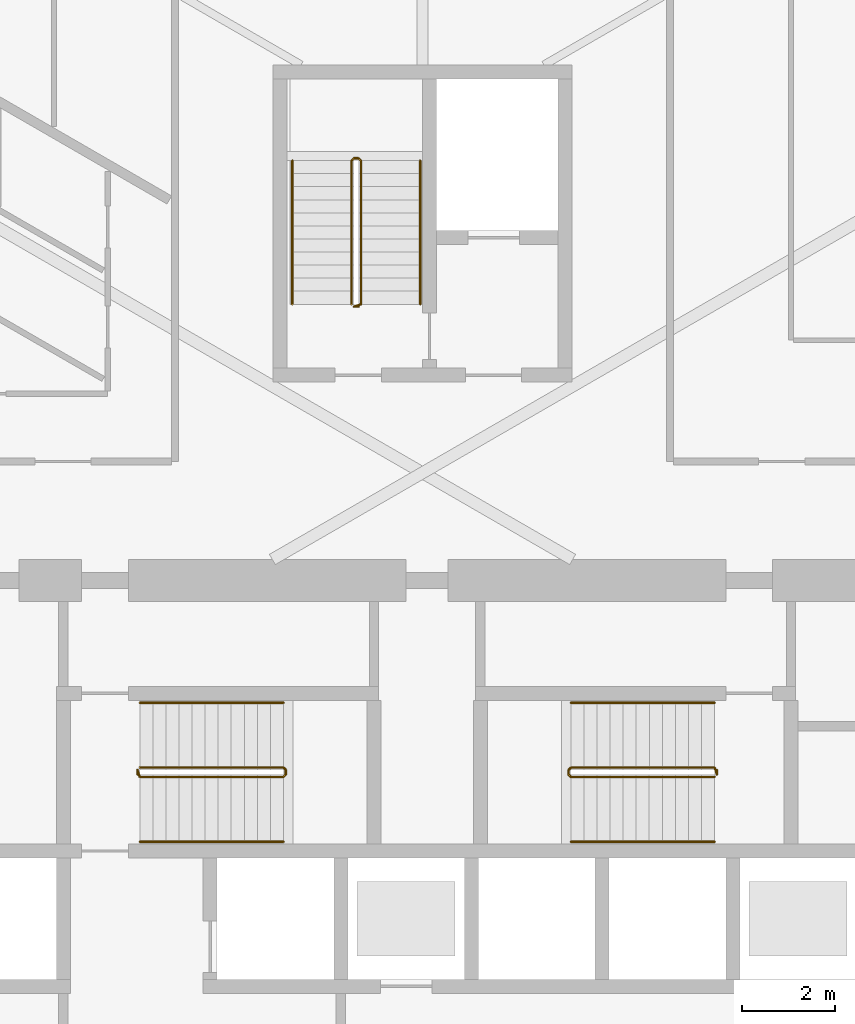
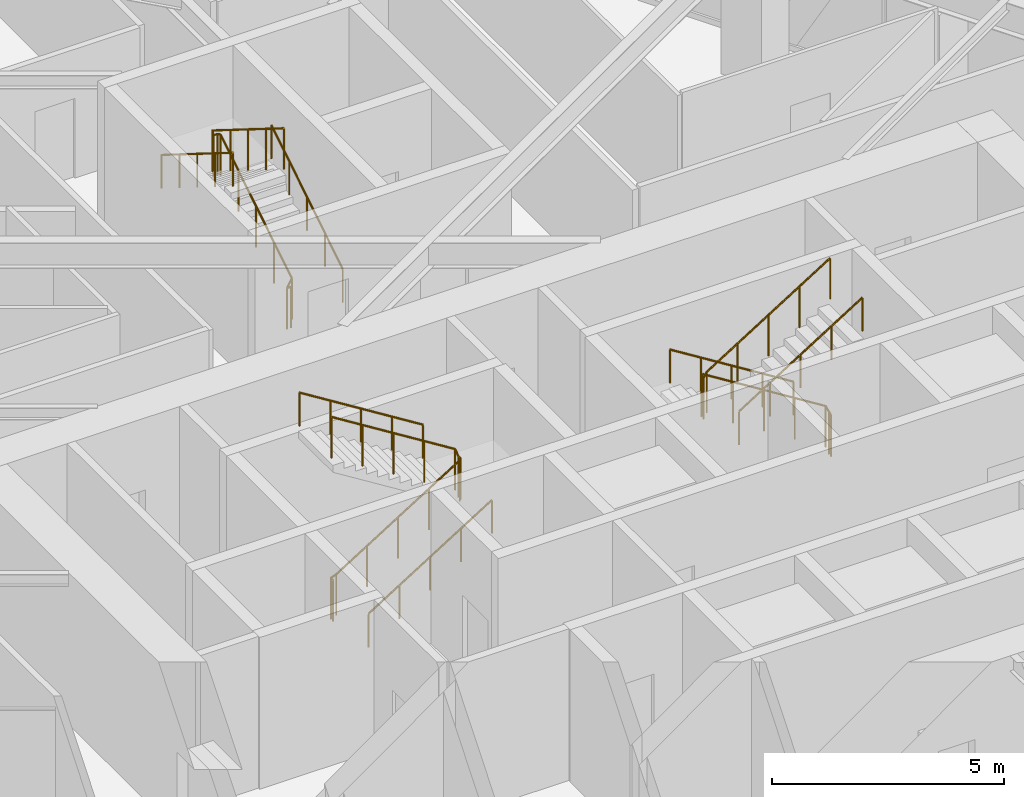
# One storey, part 20 of 21: 9 railings.
"""IFC4 building model written with IfcOpenShell, lengths in metres."""

from ifc_helpers import new_model, si_unit, direction, frame, origin, origin_2d, place, context, subcontext, project, spatial, circle, extrude, material, type_object, element, save


model = new_model("IFC4")

# Units and contexts
model_context = context("Model", 3, precision=1e-05, world=origin(), true_north=direction((0.0, 1.0)))
body_context = subcontext(model_context, "Body", "Model", "MODEL_VIEW")
ifc_project = project(units=[si_unit("LENGTHUNIT", "METRE"), si_unit("AREAUNIT", "SQUARE_METRE"), si_unit("VOLUMEUNIT", "CUBIC_METRE"), si_unit("PLANEANGLEUNIT", "RADIAN"), si_unit("MASSUNIT", "GRAM", prefix="KILO")], contexts=[model_context])

# Site, building, storey
site_placement = place(None, origin())
site = spatial("IfcSite", under=ifc_project, at=site_placement, CompositionType="ELEMENT")
building_placement = place(site_placement, origin())
building = spatial("IfcBuilding", under=site, at=building_placement, Name="Firuza Gate Tower and Library", CompositionType="ELEMENT")
storey_placement = place(building_placement, frame((0.0, 0.0, 90.39990234375)))
storey = spatial("IfcBuildingStorey", under=building, at=storey_placement, Name="L20", CompositionType="ELEMENT", Elevation=90.39990234375)

# Railings
ifc_material_1 = material(Name="Steel S355", Category="steel")
railing_type_1 = type_object("IfcRailingType", Name="Stair guard 1100", PredefinedType="GUARDRAIL", material=ifc_material_1)
railing_1_placement = place(storey_placement, frame((68.889892578125, 79.389892578125, 0.0)))
element("IfcRailing", 1, at=railing_1_placement, inside=storey, type_object=railing_type_1, Name="L20 ST1 stair guard 1", PredefinedType="GUARDRAIL", context=body_context, shape_type="SweptSolid", body=[
    extrude(circle(Radius=0.02392578125, at=origin_2d()), frame((0.0, 0.0, 1.076171875), z_axis=(0.0, 1.0, 0.0), x_axis=(-1.0, 0.0, 0.0)), (0.0, 0.0, 1.0), 0.10009765625),
    extrude(circle(Radius=0.02392578125, at=origin_2d()), frame((0.0, 0.10009765625, 1.076171875), z_axis=(0.21222055169, -0.635626432867, 0.742254319813), x_axis=(0.948528701346, 0.316691178788, 0.0)), (0.0, 0.0, 1.0), 0.23583984375),
    extrude(circle(Radius=0.02392578125, at=origin_2d()), frame((0.050048828125, -0.0498046875, 1.2509765625), z_axis=(0.847998304005, 0.0, 0.529998940003), x_axis=(0.0, 1.0, 0.0)), (0.0, 0.0, 1.0), 3.632080078125),
    extrude(circle(Radius=0.02392578125, at=origin_2d()), frame((3.130126953125, -0.0498046875, 3.17626953125), z_axis=(0.708833529934, 0.705375805398, 0.0), x_axis=(-0.705375805398, 0.708833529934, 0.0)), (0.0, 0.0, 1.0), 0.070556640625),
    extrude(circle(Radius=0.02392578125, at=origin_2d()), frame((3.18017578125, 0.0, 3.17626953125), z_axis=(0.0, 1.0, 0.0), x_axis=(-1.0, 0.0, 0.0)), (0.0, 0.0, 1.0), 0.10009765625),
    extrude(circle(Radius=0.02392578125, at=origin_2d()), frame((3.18017578125, 0.10009765625, 3.17626953125), z_axis=(-0.265065253269, 0.265065253269, 0.927081885822), x_axis=(-0.707106781187, -0.707106781187, 0.0)), (0.0, 0.0, 1.0), 0.188720703125),
    extrude(circle(Radius=0.02392578125, at=origin_2d()), frame((3.130126953125, 0.150146484375, 3.35107421875), z_axis=(-0.847998304005, 0.0, 0.529998940003), x_axis=(0.0, -1.0, 0.0)), (0.0, 0.0, 1.0), 3.632080078125),
    extrude(circle(Radius=0.02099609375, at=origin_2d()), origin(), (0.0, 0.0, 1.0), 1.052001953125),
    extrude(circle(Radius=0.02099609375, at=origin_2d()), frame((0.0, 0.10009765625, 0.0)), (0.0, 0.0, 1.0), 1.052001953125),
    extrude(circle(Radius=0.02099609375, at=origin_2d()), frame((0.050048828125, -0.0498046875, 0.175048828125)), (0.0, 0.0, 1.0), 1.052001953125),
    extrude(circle(Radius=0.02099609375, at=origin_2d()), frame((0.820068359375, -0.0498046875, 0.65625)), (0.0, 0.0, 1.0), 1.052001953125),
    extrude(circle(Radius=0.02099609375, at=origin_2d()), frame((1.590087890625, -0.0498046875, 1.1376953125)), (0.0, 0.0, 1.0), 1.052001953125),
    extrude(circle(Radius=0.02099609375, at=origin_2d()), frame((2.360107421875, -0.0498046875, 1.618896484375)), (0.0, 0.0, 1.0), 1.052001953125),
    extrude(circle(Radius=0.02099609375, at=origin_2d()), frame((3.130126953125, -0.0498046875, 2.10009765625)), (0.0, 0.0, 1.0), 1.052001953125),
    extrude(circle(Radius=0.02099609375, at=origin_2d()), frame((3.18017578125, 0.0, 2.10009765625)), (0.0, 0.0, 1.0), 1.052001953125),
    extrude(circle(Radius=0.02099609375, at=origin_2d()), frame((3.18017578125, 0.10009765625, 2.10009765625)), (0.0, 0.0, 1.0), 1.052001953125),
    extrude(circle(Radius=0.02099609375, at=origin_2d()), frame((3.130126953125, 0.150146484375, 2.275146484375)), (0.0, 0.0, 1.0), 1.052001953125),
    extrude(circle(Radius=0.02099609375, at=origin_2d()), frame((2.360107421875, 0.150146484375, 2.75634765625)), (0.0, 0.0, 1.0), 1.052001953125),
    extrude(circle(Radius=0.02099609375, at=origin_2d()), frame((1.590087890625, 0.150146484375, 3.23779296875)), (0.0, 0.0, 1.0), 1.052001953125),
    extrude(circle(Radius=0.02099609375, at=origin_2d()), frame((0.820068359375, 0.150146484375, 3.718994140625)), (0.0, 0.0, 1.0), 1.052001953125),
    extrude(circle(Radius=0.02099609375, at=origin_2d()), frame((0.050048828125, 0.150146484375, 4.2001953125)), (0.0, 0.0, 1.0), 1.052001953125),
])
railing_2_placement = place(storey_placement, frame((81.31005859375, 79.489990234375, 0.0)))
element("IfcRailing", 2, at=railing_2_placement, inside=storey, type_object=railing_type_1, Name="L20 ST2 stair guard 1", PredefinedType="GUARDRAIL", context=body_context, shape_type="SweptSolid", body=[
    extrude(circle(Radius=0.02392578125, at=origin_2d()), frame((0.0, 0.0, 1.076171875), z_axis=(0.0, -1.0, 0.0), x_axis=(1.0, 0.0, 0.0)), (0.0, 0.0, 1.0), 0.10009765625),
    extrude(circle(Radius=0.02392578125, at=origin_2d()), frame((0.0, -0.10009765625, 1.076171875), z_axis=(-0.212080931658, 0.636242794973, 0.741765990237), x_axis=(-0.948683298051, -0.316227766017, 0.0)), (0.0, 0.0, 1.0), 0.236083984375),
    extrude(circle(Radius=0.02392578125, at=origin_2d()), frame((-0.050048828125, 0.050048828125, 1.2509765625), z_axis=(-0.847998304005, 0.0, 0.529998940003), x_axis=(0.0, -1.0, 0.0)), (0.0, 0.0, 1.0), 3.632080078125),
    extrude(circle(Radius=0.02392578125, at=origin_2d()), frame((-3.130126953125, 0.050048828125, 3.17626953125), z_axis=(-0.707106781187, -0.707106781187, 0.0), x_axis=(0.707106781187, -0.707106781187, 0.0)), (0.0, 0.0, 1.0), 0.07080078125),
    extrude(circle(Radius=0.02392578125, at=origin_2d()), frame((-3.18017578125, 0.0, 3.17626953125), z_axis=(0.0, -1.0, 0.0), x_axis=(1.0, 0.0, 0.0)), (0.0, 0.0, 1.0), 0.10009765625),
    extrude(circle(Radius=0.02392578125, at=origin_2d()), frame((-3.18017578125, -0.10009765625, 3.17626953125), z_axis=(0.265155923931, -0.263862480399, 0.927399011991), x_axis=(0.705375805398, 0.708833529934, 0.0)), (0.0, 0.0, 1.0), 0.188720703125),
    extrude(circle(Radius=0.02392578125, at=origin_2d()), frame((-3.130126953125, -0.14990234375, 3.35107421875), z_axis=(0.847998304005, 0.0, 0.529998940003), x_axis=(0.0, 1.0, 0.0)), (0.0, 0.0, 1.0), 3.632080078125),
    extrude(circle(Radius=0.02099609375, at=origin_2d()), origin(), (0.0, 0.0, 1.0), 1.052001953125),
    extrude(circle(Radius=0.02099609375, at=origin_2d()), frame((0.0, -0.10009765625, 0.0)), (0.0, 0.0, 1.0), 1.052001953125),
    extrude(circle(Radius=0.02099609375, at=origin_2d()), frame((-0.050048828125, 0.050048828125, 0.175048828125)), (0.0, 0.0, 1.0), 1.052001953125),
    extrude(circle(Radius=0.02099609375, at=origin_2d()), frame((-0.820068359375, 0.050048828125, 0.65625)), (0.0, 0.0, 1.0), 1.052001953125),
    extrude(circle(Radius=0.02099609375, at=origin_2d()), frame((-1.590087890625, 0.050048828125, 1.1376953125)), (0.0, 0.0, 1.0), 1.052001953125),
    extrude(circle(Radius=0.02099609375, at=origin_2d()), frame((-2.360107421875, 0.050048828125, 1.618896484375)), (0.0, 0.0, 1.0), 1.052001953125),
    extrude(circle(Radius=0.02099609375, at=origin_2d()), frame((-3.130126953125, 0.050048828125, 2.10009765625)), (0.0, 0.0, 1.0), 1.052001953125),
    extrude(circle(Radius=0.02099609375, at=origin_2d()), frame((-3.18017578125, 0.0, 2.10009765625)), (0.0, 0.0, 1.0), 1.052001953125),
    extrude(circle(Radius=0.02099609375, at=origin_2d()), frame((-3.18017578125, -0.10009765625, 2.10009765625)), (0.0, 0.0, 1.0), 1.052001953125),
    extrude(circle(Radius=0.02099609375, at=origin_2d()), frame((-3.130126953125, -0.14990234375, 2.275146484375)), (0.0, 0.0, 1.0), 1.052001953125),
    extrude(circle(Radius=0.02099609375, at=origin_2d()), frame((-2.360107421875, -0.14990234375, 2.75634765625)), (0.0, 0.0, 1.0), 1.052001953125),
    extrude(circle(Radius=0.02099609375, at=origin_2d()), frame((-1.590087890625, -0.14990234375, 3.23779296875)), (0.0, 0.0, 1.0), 1.052001953125),
    extrude(circle(Radius=0.02099609375, at=origin_2d()), frame((-0.820068359375, -0.14990234375, 3.718994140625)), (0.0, 0.0, 1.0), 1.052001953125),
    extrude(circle(Radius=0.02099609375, at=origin_2d()), frame((-0.050048828125, -0.14990234375, 4.2001953125)), (0.0, 0.0, 1.0), 1.052001953125),
])
railing_3_placement = place(storey_placement, frame((73.6298828125, 89.419921875, 0.0)))
element("IfcRailing", 3, at=railing_3_placement, inside=storey, type_object=railing_type_1, Name="L20 ST3 stair guard 1", PredefinedType="GUARDRAIL", context=body_context, shape_type="SweptSolid", body=[
    extrude(circle(Radius=0.02392578125, at=origin_2d()), frame((0.0, 0.0, 1.076171875), z_axis=(-1.0, 0.0, 0.0), x_axis=(0.0, -1.0, 0.0)), (0.0, 0.0, 1.0), 0.099853515625),
    extrude(circle(Radius=0.02392578125, at=origin_2d()), frame((-0.099853515625, 0.0, 1.076171875), z_axis=(0.635626432867, 0.21222055169, 0.742254319813), x_axis=(-0.316691178788, 0.948528701346, 0.0)), (0.0, 0.0, 1.0), 0.23583984375),
    extrude(circle(Radius=0.02392578125, at=origin_2d()), frame((0.050048828125, 0.050048828125, 1.2509765625), z_axis=(0.0, 0.847998304005, 0.529998940003), x_axis=(-1.0, 0.0, 0.0)), (0.0, 0.0, 1.0), 3.632080078125),
    extrude(circle(Radius=0.02392578125, at=origin_2d()), frame((0.050048828125, 3.130126953125, 3.17626953125), z_axis=(-0.707106781187, 0.707106781187, 0.0), x_axis=(-0.707106781187, -0.707106781187, 0.0)), (0.0, 0.0, 1.0), 0.07080078125),
    extrude(circle(Radius=0.02392578125, at=origin_2d()), frame((0.0, 3.18017578125, 3.17626953125), z_axis=(-1.0, 0.0, 0.0), x_axis=(0.0, -1.0, 0.0)), (0.0, 0.0, 1.0), 0.099853515625),
    extrude(circle(Radius=0.02392578125, at=origin_2d()), frame((-0.099853515625, 3.18017578125, 3.17626953125), z_axis=(-0.265065253269, -0.265065253269, 0.927081885822), x_axis=(0.707106781187, -0.707106781187, 0.0)), (0.0, 0.0, 1.0), 0.188720703125),
    extrude(circle(Radius=0.02392578125, at=origin_2d()), frame((-0.14990234375, 3.130126953125, 3.35107421875), z_axis=(0.0, -0.847998304005, 0.529998940003), x_axis=(1.0, 0.0, 0.0)), (0.0, 0.0, 1.0), 3.632080078125),
    extrude(circle(Radius=0.02099609375, at=origin_2d()), origin(), (0.0, 0.0, 1.0), 1.052001953125),
    extrude(circle(Radius=0.02099609375, at=origin_2d()), frame((-0.099853515625, 0.0, 0.0)), (0.0, 0.0, 1.0), 1.052001953125),
    extrude(circle(Radius=0.02099609375, at=origin_2d()), frame((0.050048828125, 0.050048828125, 0.175048828125)), (0.0, 0.0, 1.0), 1.052001953125),
    extrude(circle(Radius=0.02099609375, at=origin_2d()), frame((0.050048828125, 0.820068359375, 0.65625)), (0.0, 0.0, 1.0), 1.052001953125),
    extrude(circle(Radius=0.02099609375, at=origin_2d()), frame((0.050048828125, 1.590087890625, 1.1376953125)), (0.0, 0.0, 1.0), 1.052001953125),
    extrude(circle(Radius=0.02099609375, at=origin_2d()), frame((0.050048828125, 2.360107421875, 1.618896484375)), (0.0, 0.0, 1.0), 1.052001953125),
    extrude(circle(Radius=0.02099609375, at=origin_2d()), frame((0.050048828125, 3.130126953125, 2.10009765625)), (0.0, 0.0, 1.0), 1.052001953125),
    extrude(circle(Radius=0.02099609375, at=origin_2d()), frame((0.0, 3.18017578125, 2.10009765625)), (0.0, 0.0, 1.0), 1.052001953125),
    extrude(circle(Radius=0.02099609375, at=origin_2d()), frame((-0.099853515625, 3.18017578125, 2.10009765625)), (0.0, 0.0, 1.0), 1.052001953125),
    extrude(circle(Radius=0.02099609375, at=origin_2d()), frame((-0.14990234375, 3.130126953125, 2.275146484375)), (0.0, 0.0, 1.0), 1.052001953125),
    extrude(circle(Radius=0.02099609375, at=origin_2d()), frame((-0.14990234375, 2.360107421875, 2.75634765625)), (0.0, 0.0, 1.0), 1.052001953125),
    extrude(circle(Radius=0.02099609375, at=origin_2d()), frame((-0.14990234375, 1.590087890625, 3.23779296875)), (0.0, 0.0, 1.0), 1.052001953125),
    extrude(circle(Radius=0.02099609375, at=origin_2d()), frame((-0.14990234375, 0.820068359375, 3.718994140625)), (0.0, 0.0, 1.0), 1.052001953125),
    extrude(circle(Radius=0.02099609375, at=origin_2d()), frame((-0.14990234375, 0.050048828125, 4.2001953125)), (0.0, 0.0, 1.0), 1.052001953125),
])
ifc_material_2 = material(Name="Steel S355", Category="steel")
railing_type_2 = type_object("IfcRailingType", Name="Stair handrail 900", PredefinedType="HANDRAIL", material=ifc_material_2)
railing_4_placement = place(storey_placement, frame((68.93994140625, 77.949951171875, 0.175048828125)))
element("IfcRailing", 4, at=railing_4_placement, inside=storey, type_object=railing_type_2, Name="L20 ST1 stair handrail 1", PredefinedType="HANDRAIL", context=body_context, shape_type="SweptSolid", body=[
    extrude(circle(Radius=0.02392578125, at=origin_2d()), frame((0.0, 0.0, 0.8759765625), z_axis=(0.847998304005, 0.0, 0.529998940003), x_axis=(0.0, 1.0, 0.0)), (0.0, 0.0, 1.0), 3.632080078125),
    extrude(circle(Radius=0.02099609375, at=origin_2d()), origin(), (0.0, 0.0, 1.0), 0.851806640625),
    extrude(circle(Radius=0.02099609375, at=origin_2d()), frame((0.77001953125, 0.0, 0.481201171875)), (0.0, 0.0, 1.0), 0.851806640625),
    extrude(circle(Radius=0.02099609375, at=origin_2d()), frame((1.5400390625, 0.0, 0.96240234375)), (0.0, 0.0, 1.0), 0.851806640625),
    extrude(circle(Radius=0.02099609375, at=origin_2d()), frame((2.31005859375, 0.0, 1.44384765625)), (0.0, 0.0, 1.0), 0.851806640625),
    extrude(circle(Radius=0.02099609375, at=origin_2d()), frame((3.080078125, 0.0, 1.925048828125)), (0.0, 0.0, 1.0), 0.851806640625),
])
for number, where, name in (
    (5, (72.02001953125, 80.929931640625, 2.275146484375), "L20 ST1 stair handrail 2"),
    (6, (81.260009765625, 80.929931640625, 0.175048828125), "L20 ST2 stair handrail 1"),
):
    element("IfcRailing", number, at=place(storey_placement, frame(where)), inside=storey, type_object=railing_type_2, Name=name, PredefinedType="HANDRAIL", context=body_context, shape_type="SweptSolid", body=[
        extrude(circle(Radius=0.02392578125, at=origin_2d()), frame((0.0, 0.0, 0.8759765625), z_axis=(-0.847998304005, 0.0, 0.529998940003), x_axis=(0.0, -1.0, 0.0)), (0.0, 0.0, 1.0), 3.632080078125),
        extrude(circle(Radius=0.02099609375, at=origin_2d()), origin(), (0.0, 0.0, 1.0), 0.851806640625),
        extrude(circle(Radius=0.02099609375, at=origin_2d()), frame((-0.77001953125, 0.0, 0.481201171875)), (0.0, 0.0, 1.0), 0.851806640625),
        extrude(circle(Radius=0.02099609375, at=origin_2d()), frame((-1.5400390625, 0.0, 0.96240234375)), (0.0, 0.0, 1.0), 0.851806640625),
        extrude(circle(Radius=0.02099609375, at=origin_2d()), frame((-2.31005859375, 0.0, 1.44384765625)), (0.0, 0.0, 1.0), 0.851806640625),
        extrude(circle(Radius=0.02099609375, at=origin_2d()), frame((-3.080078125, 0.0, 1.925048828125)), (0.0, 0.0, 1.0), 0.851806640625),
    ])
railing_5_placement = place(storey_placement, frame((78.179931640625, 77.949951171875, 2.275146484375)))
element("IfcRailing", 7, at=railing_5_placement, inside=storey, type_object=railing_type_2, Name="L20 ST2 stair handrail 2", PredefinedType="HANDRAIL", context=body_context, shape_type="SweptSolid", body=[
    extrude(circle(Radius=0.02392578125, at=origin_2d()), frame((0.0, 0.0, 0.8759765625), z_axis=(0.847998304005, 0.0, 0.529998940003), x_axis=(0.0, 1.0, 0.0)), (0.0, 0.0, 1.0), 3.632080078125),
    extrude(circle(Radius=0.02099609375, at=origin_2d()), origin(), (0.0, 0.0, 1.0), 0.851806640625),
    extrude(circle(Radius=0.02099609375, at=origin_2d()), frame((0.77001953125, 0.0, 0.481201171875)), (0.0, 0.0, 1.0), 0.851806640625),
    extrude(circle(Radius=0.02099609375, at=origin_2d()), frame((1.5400390625, 0.0, 0.96240234375)), (0.0, 0.0, 1.0), 0.851806640625),
    extrude(circle(Radius=0.02099609375, at=origin_2d()), frame((2.31005859375, 0.0, 1.44384765625)), (0.0, 0.0, 1.0), 0.851806640625),
    extrude(circle(Radius=0.02099609375, at=origin_2d()), frame((3.080078125, 0.0, 1.925048828125)), (0.0, 0.0, 1.0), 0.851806640625),
])
railing_6_placement = place(storey_placement, frame((74.949951171875, 89.469970703125, 0.175048828125)))
element("IfcRailing", 8, at=railing_6_placement, inside=storey, type_object=railing_type_2, Name="L20 ST3 stair handrail 1", PredefinedType="HANDRAIL", context=body_context, shape_type="SweptSolid", body=[
    extrude(circle(Radius=0.02392578125, at=origin_2d()), frame((0.0, 0.0, 0.8759765625), z_axis=(0.0, 0.847998304005, 0.529998940003), x_axis=(-1.0, 0.0, 0.0)), (0.0, 0.0, 1.0), 3.632080078125),
    extrude(circle(Radius=0.02099609375, at=origin_2d()), origin(), (0.0, 0.0, 1.0), 0.851806640625),
    extrude(circle(Radius=0.02099609375, at=origin_2d()), frame((0.0, 0.77001953125, 0.481201171875)), (0.0, 0.0, 1.0), 0.851806640625),
    extrude(circle(Radius=0.02099609375, at=origin_2d()), frame((0.0, 1.5400390625, 0.96240234375)), (0.0, 0.0, 1.0), 0.851806640625),
    extrude(circle(Radius=0.02099609375, at=origin_2d()), frame((0.0, 2.31005859375, 1.44384765625)), (0.0, 0.0, 1.0), 0.851806640625),
    extrude(circle(Radius=0.02099609375, at=origin_2d()), frame((0.0, 3.080078125, 1.925048828125)), (0.0, 0.0, 1.0), 0.851806640625),
])
railing_7_placement = place(storey_placement, frame((72.2099609375, 92.550048828125, 2.275146484375)))
element("IfcRailing", 9, at=railing_7_placement, inside=storey, type_object=railing_type_2, Name="L20 ST3 stair handrail 2", PredefinedType="HANDRAIL", context=body_context, shape_type="SweptSolid", body=[
    extrude(circle(Radius=0.02392578125, at=origin_2d()), frame((0.0, 0.0, 0.8759765625), z_axis=(0.0, -0.847998304005, 0.529998940003), x_axis=(1.0, 0.0, 0.0)), (0.0, 0.0, 1.0), 3.632080078125),
    extrude(circle(Radius=0.02099609375, at=origin_2d()), origin(), (0.0, 0.0, 1.0), 0.851806640625),
    extrude(circle(Radius=0.02099609375, at=origin_2d()), frame((0.0, -0.77001953125, 0.481201171875)), (0.0, 0.0, 1.0), 0.851806640625),
    extrude(circle(Radius=0.02099609375, at=origin_2d()), frame((0.0, -1.5400390625, 0.96240234375)), (0.0, 0.0, 1.0), 0.851806640625),
    extrude(circle(Radius=0.02099609375, at=origin_2d()), frame((0.0, -2.31005859375, 1.44384765625)), (0.0, 0.0, 1.0), 0.851806640625),
    extrude(circle(Radius=0.02099609375, at=origin_2d()), frame((0.0, -3.080078125, 1.925048828125)), (0.0, 0.0, 1.0), 0.851806640625),
])

save(model, "model.ifc")
